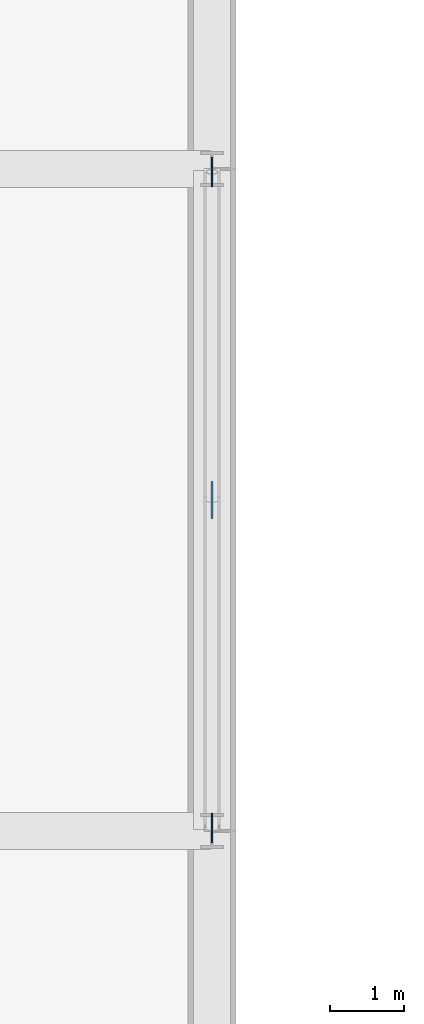
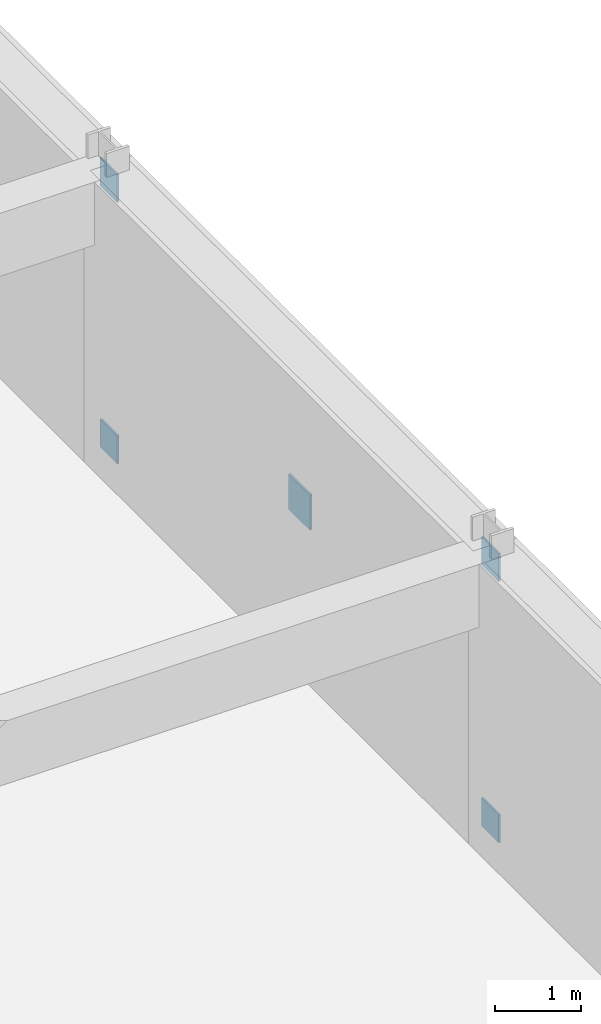
# One storey, part 33 of 35: 5 discrete accessories.
"""IFC4 building model written with IfcOpenShell, lengths in metres."""

from ifc_helpers import new_model, si_unit, direction, frame, origin, origin_2d, place, context, subcontext, project, spatial, rectangle, extrude, material, type_object, element, save


model = new_model("IFC4")

# Units and contexts
model_context = context("Model", 3, precision=1e-05, world=origin(), true_north=direction((0.0, 1.0)))
body_context = subcontext(model_context, "Body", "Model", "MODEL_VIEW")
ifc_project = project(units=[si_unit("LENGTHUNIT", "METRE"), si_unit("AREAUNIT", "SQUARE_METRE"), si_unit("VOLUMEUNIT", "CUBIC_METRE"), si_unit("PLANEANGLEUNIT", "RADIAN"), si_unit("MASSUNIT", "GRAM", prefix="KILO")], contexts=[model_context])

# Site, building, storey
site_placement = place(None, origin())
site = spatial("IfcSite", under=ifc_project, at=site_placement, CompositionType="ELEMENT")
building_placement = place(site_placement, origin())
building = spatial("IfcBuilding", under=site, at=building_placement, Name="Palais des Congres Ocreval", CompositionType="ELEMENT")
storey_placement = place(building_placement, frame((0.0, 0.0, -4.47998046875)))
storey = spatial("IfcBuildingStorey", under=building, at=storey_placement, Name="B1", CompositionType="ELEMENT", Elevation=-4.47998046875)

# Discrete accessories
ifc_material = material(Name="Steel S355", Category="steel")
discrete_accessory_type_1 = type_object("IfcDiscreteAccessoryType", Name="Cast-In Embed Plate PL25 Steel S355", PredefinedType="USERDEFINED", material=ifc_material)
for number, where, z_axis, x_axis, name in (
    (1, (162.0, 81.0400390625, 0.0), (0.0, 0.0, 1.0), (0.0, -1.0, 0.0), "Cast-In Embed Plate EP01"),
    (2, (162.0, 89.9599609375, 3.72998046875), (0.0, 0.0, 1.0), (0.0, -1.0, 0.0), "Cast-In Embed Plate EP01"),
    (3, (162.0, 81.0400390625, 3.72998046875), (0.0, 0.0, 1.0), (0.0, -1.0, 0.0), "Cast-In Embed Plate EP01"),
    (4, (162.0, 89.9599609375, 0.0), (0.0, 0.0, 1.0), (0.0, -1.0, 0.0), "Cast-In Embed Plate EP01"),
):
    element("IfcDiscreteAccessory", number, at=place(storey_placement, frame(where, z_axis=z_axis, x_axis=x_axis)), inside=storey, type_object=discrete_accessory_type_1, Name=name, ObjectType="EMBED PLATE", PredefinedType="USERDEFINED", context=body_context, shape_type="SweptSolid", body=[
        extrude(rectangle(XDim=0.39990234375, YDim=0.02490234375, at=origin_2d()), origin(), (0.0, 0.0, 1.0), 0.39990234375),
    ])
discrete_accessory_type_2 = type_object("IfcDiscreteAccessoryType", Name="X-Brace Node Gusset Plate PL30 Steel S355", PredefinedType="USERDEFINED", material=ifc_material)
discrete_accessory_placement = place(storey_placement, frame((162.0, 85.5, 1.7900390625), z_axis=(0.0, 0.0, 1.0), x_axis=(0.0, 1.0, 0.0)))
element("IfcDiscreteAccessory", 5, at=discrete_accessory_placement, inside=storey, type_object=discrete_accessory_type_2, Name="X-Brace Node Gusset Plate GP01", ObjectType="GUSSET PLATE", PredefinedType="USERDEFINED", context=body_context, shape_type="SweptSolid", body=[
    extrude(rectangle(XDim=0.5, YDim=0.030029296875, at=origin_2d()), origin(), (0.0, 0.0, 1.0), 0.5),
])

save(model, "model.ifc")
